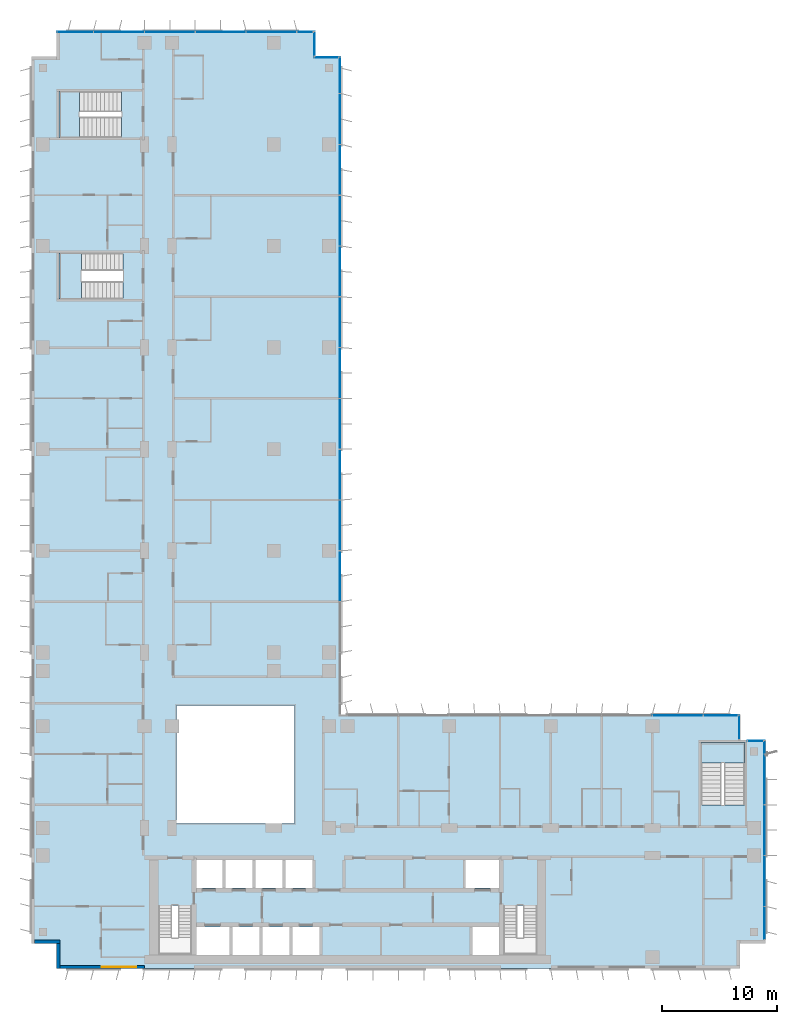
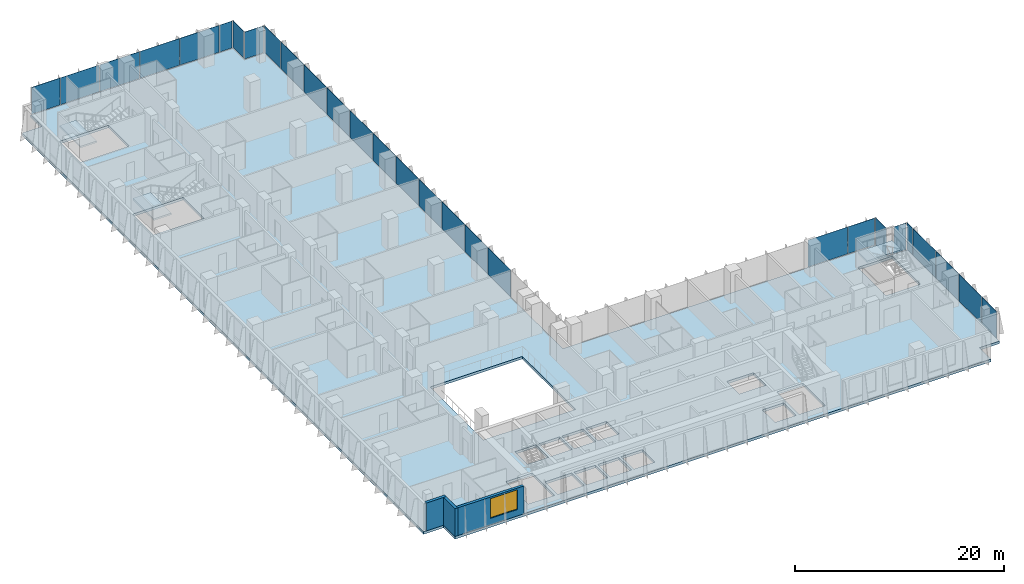
# One storey, part 11 of 22: 28 plates, 4 slabs, 3 walls, 1 window, 1 opening, 11 elements without a shape of their own.
"""IFC4 building model written with IfcOpenShell, lengths in metres."""

from ifc_helpers import new_model, si_unit, direction, frame, frame_2d, origin, origin_2d, place, context, subcontext, project, spatial, polyline, rectangle, outline, extrude, source, transform, mapped, material, layer, layer_set, type_object, element, fill, aggregate, save


model = new_model("IFC4")

# Units and contexts
model_context = context("Model", 3, precision=1e-05, world=origin(), true_north=direction((0.0, 1.0)))
body_context = subcontext(model_context, "Body", "Model", "MODEL_VIEW")
ifc_project = project(units=[si_unit("LENGTHUNIT", "METRE"), si_unit("AREAUNIT", "SQUARE_METRE"), si_unit("VOLUMEUNIT", "CUBIC_METRE"), si_unit("PLANEANGLEUNIT", "RADIAN"), si_unit("MASSUNIT", "GRAM", prefix="KILO")], contexts=[model_context])

# Site, building, storey
site_placement = place(None, origin())
site = spatial("IfcSite", under=ifc_project, at=site_placement, CompositionType="ELEMENT")
building_placement = place(site_placement, origin())
building = spatial("IfcBuilding", under=site, at=building_placement, Name="Kemantara Hotel Tower", CompositionType="ELEMENT")
storey_placement = place(building_placement, frame((0.0, 0.0, 149.39990234375)))
storey = spatial("IfcBuildingStorey", under=building, at=storey_placement, Name="L36", CompositionType="ELEMENT", Elevation=149.39990234375)

# Slab
ifc_material_1 = material(Name="Concrete fc 40 MPa", Category="concrete")
ifc_layer_1 = layer(ifc_material_1, 0.300048828125)
ifc_layer_set_1 = layer_set([ifc_layer_1], Name="Concrete fc 40 MPa")
slab_type_1 = type_object("IfcSlabType", Name="POST-TENSIONED FLAT PLATE 300", PredefinedType="FLOOR", material=ifc_layer_set_1)
slab_1_placement = place(storey_placement, frame((0.0, 0.0, -0.2998046875)))
element("IfcSlab", 1, at=slab_1_placement, inside=storey, type_object=slab_type_1, Name="FLOOR SLAB L36", PredefinedType="FLOOR", context=body_context, shape_type="SweptSolid", body=[
    extrude(outline(polyline([(26.800048828125, 79.0), (24.60009765625, 79.0), (24.60009765625, 81.199951171875), (2.199951171875, 81.199951171875), (2.199951171875, 79.0), (0.0, 79.0), (0.0, 2.199951171875), (2.199951171875, 2.199951171875), (2.199951171875, 0.0), (61.39990234375, 0.0), (61.39990234375, 2.199951171875), (63.60009765625, 2.199951171875), (63.60009765625, 19.800048828125), (61.39990234375, 19.800048828125), (61.39990234375, 22.0), (26.800048828125, 22.0), (26.800048828125, 79.0)]), holes=[polyline([(17.175048828125, 1.199951171875), (14.22509765625, 1.199951171875), (14.22509765625, 3.60009765625), (17.175048828125, 3.60009765625), (17.175048828125, 1.199951171875)]), polyline([(19.77490234375, 1.199951171875), (17.425048828125, 1.199951171875), (17.425048828125, 3.60009765625), (19.77490234375, 3.60009765625), (19.77490234375, 1.199951171875)]), polyline([(11.0, 1.199951171875), (11.0, 5.49951171875), (13.89990234375, 5.49951171875), (13.89990234375, 1.199951171875), (11.0, 1.199951171875)]), polyline([(16.574951171875, 7.0), (14.22509765625, 7.0), (14.22509765625, 9.39990234375), (16.574951171875, 9.39990234375), (16.574951171875, 7.0)]), polyline([(19.175048828125, 7.0), (16.824951171875, 7.0), (16.824951171875, 9.39990234375), (19.175048828125, 9.39990234375), (19.175048828125, 7.0)]), polyline([(22.800048828125, 12.60009765625), (12.60009765625, 12.60009765625), (12.60009765625, 22.800048828125), (22.800048828125, 22.800048828125), (22.800048828125, 12.60009765625)]), polyline([(2.39990234375, 62.0), (7.949462890625, 62.0), (7.949462890625, 58.0), (2.39990234375, 58.0), (2.39990234375, 62.0)]), polyline([(2.39990234375, 76.0), (7.79931640625, 76.0), (7.79931640625, 72.0), (2.39990234375, 72.0), (2.39990234375, 76.0)]), polyline([(22.375, 1.199951171875), (20.02490234375, 1.199951171875), (20.02490234375, 3.60009765625), (22.375, 3.60009765625), (22.375, 1.199951171875)]), polyline([(24.97509765625, 1.199951171875), (22.625, 1.199951171875), (22.625, 3.60009765625), (24.97509765625, 3.60009765625), (24.97509765625, 1.199951171875)]), polyline([(40.574951171875, 1.199951171875), (38.22509765625, 1.199951171875), (38.22509765625, 3.60009765625), (40.574951171875, 3.60009765625), (40.574951171875, 1.199951171875)]), polyline([(40.89990234375, 1.199951171875), (40.89990234375, 5.49951171875), (43.800048828125, 5.49951171875), (43.800048828125, 1.199951171875), (40.89990234375, 1.199951171875)]), polyline([(21.77490234375, 7.0), (19.425048828125, 7.0), (19.425048828125, 9.39990234375), (21.77490234375, 9.39990234375), (21.77490234375, 7.0)]), polyline([(24.375, 7.0), (22.02490234375, 7.0), (22.02490234375, 9.39990234375), (24.375, 9.39990234375), (24.375, 7.0)]), polyline([(40.574951171875, 7.0), (37.625, 7.0), (37.625, 9.39990234375), (40.574951171875, 9.39990234375), (40.574951171875, 7.0)]), polyline([(61.800048828125, 19.60009765625), (61.800048828125, 14.20068359375), (58.0, 14.20068359375), (58.0, 19.60009765625), (61.800048828125, 19.60009765625)])]), origin(), (0.0, 0.0, 1.0), 0.2998046875),
])

# Stair, slab
stair_type_1 = type_object("IfcStairType", Name="Stair 1800 wide 22 risers of 168 x 360 mm", PredefinedType="HALF_TURN_STAIR", material=ifc_material_1)
stair_1_placement = place(storey_placement, origin())
stair_1 = element("IfcStair", 2, at=stair_1_placement, inside=storey, type_object=stair_type_1, Name="L36 Exit stair ST3", PredefinedType="HALF_TURN_STAIR")
ifc_layer_2 = layer(ifc_material_1, 0.199951171875)
ifc_layer_set_2 = layer_set([ifc_layer_2], Name="Concrete fc 40 MPa")
slab_type_2 = type_object("IfcSlabType", Name="Stair landing 200 mm", PredefinedType="LANDING", material=ifc_layer_set_2)
slab_2_placement = place(storey_placement, frame((0.0, 0.0, 1.650146484375)))
slab_2 = element("IfcSlab", 3, at=slab_2_placement, type_object=slab_type_2, Name="ST3 landing 1", PredefinedType="LANDING", context=body_context, shape_type="SweptSolid", body=[
    extrude(outline(polyline([(61.800048828125, 17.800048828125), (61.800048828125, 19.60009765625), (58.0, 19.60009765625), (58.0, 17.800048828125), (61.800048828125, 17.800048828125)])), origin(), (0.0, 0.0, 1.0), 0.199951171875),
])
aggregate(stair_1, [slab_2])

stair_type_2 = type_object("IfcStairType", Name="Stair 1550 wide 22 risers of 168 x 360 mm", PredefinedType="HALF_TURN_STAIR", material=ifc_material_1)
stair_2_placement = place(storey_placement, origin())
stair_2 = element("IfcStair", 4, at=stair_2_placement, inside=storey, type_object=stair_type_2, Name="L36 Exit stair ST4", PredefinedType="HALF_TURN_STAIR")
slab_3_placement = place(storey_placement, frame((0.0, 0.0, 1.650146484375)))
slab_3 = element("IfcSlab", 5, at=slab_3_placement, type_object=slab_type_2, Name="ST4 landing 1", PredefinedType="LANDING", context=body_context, shape_type="SweptSolid", body=[
    extrude(outline(polyline([(4.35009765625, 62.0), (2.39990234375, 62.0), (2.39990234375, 58.0), (4.35009765625, 58.0), (4.35009765625, 62.0)])), origin(), (0.0, 0.0, 1.0), 0.199951171875),
])
aggregate(stair_2, [slab_3])

stair_3_placement = place(storey_placement, origin())
stair_3 = element("IfcStair", 6, at=stair_3_placement, inside=storey, type_object=stair_type_1, Name="L36 Exit stair ST6", PredefinedType="HALF_TURN_STAIR")
slab_4_placement = place(storey_placement, frame((0.0, 0.0, 1.650146484375)))
slab_4 = element("IfcSlab", 7, at=slab_4_placement, type_object=slab_type_2, Name="ST6 landing 1", PredefinedType="LANDING", context=body_context, shape_type="SweptSolid", body=[
    extrude(outline(polyline([(4.199951171875, 76.0), (2.39990234375, 76.0), (2.39990234375, 72.0), (4.199951171875, 72.0), (4.199951171875, 76.0)])), origin(), (0.0, 0.0, 1.0), 0.199951171875),
])
aggregate(stair_3, [slab_4])

# Curtain wall, plate
ifc_material_2 = material(Name="Low-E tinted double insulated glass 36 mm", Category="glass")
curtain_wall_type = type_object("IfcCurtainWallType", Name="TOWER CURTAIN WALL, FRONT FACES", PredefinedType="USERDEFINED", material=ifc_material_2)
curtain_wall_1_placement = place(storey_placement, origin())
curtain_wall_1 = element("IfcCurtainWall", 8, at=curtain_wall_1_placement, inside=storey, type_object=curtain_wall_type, Name="CW4 L36 T2-R10-1", ObjectType="TOWER CURTAIN WALL, FRONT FACES", PredefinedType="USERDEFINED")
ifc_layer_3 = layer(ifc_material_2, 0.035888671875)
ifc_layer_set_3 = layer_set([ifc_layer_3], Name="Low-E tinted double insulated glass 36 mm")
plate_type = type_object("IfcPlateType", Name="TOWER CURTAIN WALL, FRONT FACES PANEL", PredefinedType="CURTAIN_PANEL", material=ifc_layer_set_3)
shared_shape_1 = source(origin(), body_context, "Body", "SweptSolid", [
    extrude(rectangle(XDim=2.81005859375, YDim=0.035888671875, at=origin_2d()), origin(), (0.0, 0.0, 1.0), 3.1298828125),
])
plate_1_placement = place(storey_placement, frame((63.52490234375, 3.965087890625, 0.1201171875), z_axis=(0.0, 0.0, 1.0), x_axis=(0.0, 1.0, 0.0)))
plate_1 = element("IfcPlate", 9, at=plate_1_placement, type_object=plate_type, Name="CW4 glass panel T2-R10-1.1", PredefinedType="CURTAIN_PANEL", context=body_context, shape_type="MappedRepresentation", body=[
    mapped(shared_shape_1, transform((0.0, 0.0, 0.0))),
])

# Curtain wall, plates
curtain_wall_2_placement = place(storey_placement, origin())
curtain_wall_2 = element("IfcCurtainWall", 10, at=curtain_wall_2_placement, inside=storey, type_object=curtain_wall_type, Name="CW4 L36 T2-R01-1", ObjectType="TOWER CURTAIN WALL, FRONT FACES", PredefinedType="USERDEFINED")
shared_shape_2 = source(origin(), body_context, "Body", "SweptSolid", [
    extrude(rectangle(XDim=4.340087890625, YDim=0.035888671875, at=origin_2d()), origin(), (0.0, 0.0, 1.0), 3.1298828125),
])
plate_2_placement = place(storey_placement, frame((20.800048828125, 81.125, 0.1201171875), z_axis=(0.0, 0.0, 1.0), x_axis=(-1.0, 0.0, 0.0)))
plate_2 = element("IfcPlate", 11, at=plate_2_placement, type_object=plate_type, Name="CW4 glass panel T2-R01-1.2", PredefinedType="CURTAIN_PANEL", context=body_context, shape_type="MappedRepresentation", body=[
    mapped(shared_shape_2, transform((0.0, 0.0, 0.0))),
])
plate_3_placement = place(storey_placement, frame((16.39990234375, 81.125, 0.1201171875), z_axis=(0.0, 0.0, 1.0), x_axis=(-1.0, 0.0, 0.0)))
plate_3 = element("IfcPlate", 12, at=plate_3_placement, type_object=plate_type, Name="CW4 glass panel T2-R01-1.3", PredefinedType="CURTAIN_PANEL", context=body_context, shape_type="MappedRepresentation", body=[
    mapped(shared_shape_2, transform((0.0, 0.0, 0.0))),
])
plate_4_placement = place(storey_placement, frame((12.0, 81.125, 0.1201171875), z_axis=(0.0, 0.0, 1.0), x_axis=(-1.0, 0.0, 0.0)))
plate_4 = element("IfcPlate", 13, at=plate_4_placement, type_object=plate_type, Name="CW4 glass panel T2-R01-1.4", PredefinedType="CURTAIN_PANEL", context=body_context, shape_type="MappedRepresentation", body=[
    mapped(shared_shape_2, transform((0.0, 0.0, 0.0))),
])
plate_5_placement = place(storey_placement, frame((7.60009765625, 81.125, 0.1201171875), z_axis=(0.0, 0.0, 1.0), x_axis=(-1.0, 0.0, 0.0)))
plate_5 = element("IfcPlate", 14, at=plate_5_placement, type_object=plate_type, Name="CW4 glass panel T2-R01-1.5", PredefinedType="CURTAIN_PANEL", context=body_context, shape_type="MappedRepresentation", body=[
    mapped(shared_shape_2, transform((0.0, 0.0, 0.0))),
])

# Plate
plate_6_placement = place(storey_placement, frame((63.52490234375, 7.60009765625, 0.1201171875), z_axis=(0.0, 0.0, 1.0), x_axis=(0.0, 1.0, 0.0)))
plate_6 = element("IfcPlate", 15, at=plate_6_placement, type_object=plate_type, Name="CW4 glass panel T2-R10-1.2", PredefinedType="CURTAIN_PANEL", context=body_context, shape_type="MappedRepresentation", body=[
    mapped(shared_shape_2, transform((0.0, 0.0, 0.0))),
])

plate_7_placement = place(storey_placement, frame((63.52490234375, 12.0, 0.1201171875), z_axis=(0.0, 0.0, 1.0), x_axis=(0.0, 1.0, 0.0)))
plate_7 = element("IfcPlate", 16, at=plate_7_placement, type_object=plate_type, Name="CW4 glass panel T2-R10-1.3", PredefinedType="CURTAIN_PANEL", context=body_context, shape_type="MappedRepresentation", body=[
    mapped(shared_shape_2, transform((0.0, 0.0, 0.0))),
])

plate_8_placement = place(storey_placement, frame((63.52490234375, 16.39990234375, 0.1201171875), z_axis=(0.0, 0.0, 1.0), x_axis=(0.0, 1.0, 0.0)))
plate_8 = element("IfcPlate", 17, at=plate_8_placement, type_object=plate_type, Name="CW4 glass panel T2-R10-1.4", PredefinedType="CURTAIN_PANEL", context=body_context, shape_type="MappedRepresentation", body=[
    mapped(shared_shape_2, transform((0.0, 0.0, 0.0))),
])

# Curtain wall, plate
curtain_wall_3_placement = place(storey_placement, origin())
curtain_wall_3 = element("IfcCurtainWall", 18, at=curtain_wall_3_placement, inside=storey, type_object=curtain_wall_type, Name="CW4 L36 T2-R13-1", ObjectType="TOWER CURTAIN WALL, FRONT FACES", PredefinedType="USERDEFINED")
plate_9_placement = place(storey_placement, frame((56.0, 21.925048828125, 0.1201171875), z_axis=(0.0, 0.0, 1.0), x_axis=(-1.0, 0.0, 0.0)))
plate_9 = element("IfcPlate", 19, at=plate_9_placement, type_object=plate_type, Name="CW4 glass panel T2-R13-1.2", PredefinedType="CURTAIN_PANEL", context=body_context, shape_type="MappedRepresentation", body=[
    mapped(shared_shape_2, transform((0.0, 0.0, 0.0))),
])

# Curtain wall, plates
curtain_wall_4_placement = place(storey_placement, origin())
curtain_wall_4 = element("IfcCurtainWall", 20, at=curtain_wall_4_placement, inside=storey, type_object=curtain_wall_type, Name="CW4 L36 T2-R14-1", ObjectType="TOWER CURTAIN WALL, FRONT FACES", PredefinedType="USERDEFINED")
plate_10_placement = place(storey_placement, frame((26.72509765625, 34.0, 0.1201171875), z_axis=(0.0, 0.0, 1.0), x_axis=(0.0, 1.0, 0.0)))
plate_10 = element("IfcPlate", 21, at=plate_10_placement, type_object=plate_type, Name="CW4 glass panel T2-R14-1.4", PredefinedType="CURTAIN_PANEL", context=body_context, shape_type="MappedRepresentation", body=[
    mapped(shared_shape_2, transform((0.0, 0.0, 0.0))),
])
plate_11_placement = place(storey_placement, frame((26.72509765625, 38.39990234375, 0.1201171875), z_axis=(0.0, 0.0, 1.0), x_axis=(0.0, 1.0, 0.0)))
plate_11 = element("IfcPlate", 22, at=plate_11_placement, type_object=plate_type, Name="CW4 glass panel T2-R14-1.5", PredefinedType="CURTAIN_PANEL", context=body_context, shape_type="MappedRepresentation", body=[
    mapped(shared_shape_2, transform((0.0, 0.0, 0.0))),
])
plate_12_placement = place(storey_placement, frame((26.72509765625, 42.800048828125, 0.1201171875), z_axis=(0.0, 0.0, 1.0), x_axis=(0.0, 1.0, 0.0)))
plate_12 = element("IfcPlate", 23, at=plate_12_placement, type_object=plate_type, Name="CW4 glass panel T2-R14-1.6", PredefinedType="CURTAIN_PANEL", context=body_context, shape_type="MappedRepresentation", body=[
    mapped(shared_shape_2, transform((0.0, 0.0, 0.0))),
])
plate_13_placement = place(storey_placement, frame((26.72509765625, 47.199951171875, 0.1201171875), z_axis=(0.0, 0.0, 1.0), x_axis=(0.0, 1.0, 0.0)))
plate_13 = element("IfcPlate", 24, at=plate_13_placement, type_object=plate_type, Name="CW4 glass panel T2-R14-1.7", PredefinedType="CURTAIN_PANEL", context=body_context, shape_type="MappedRepresentation", body=[
    mapped(shared_shape_2, transform((0.0, 0.0, 0.0))),
])
plate_14_placement = place(storey_placement, frame((26.72509765625, 51.60009765625, 0.1201171875), z_axis=(0.0, 0.0, 1.0), x_axis=(0.0, 1.0, 0.0)))
plate_14 = element("IfcPlate", 25, at=plate_14_placement, type_object=plate_type, Name="CW4 glass panel T2-R14-1.8", PredefinedType="CURTAIN_PANEL", context=body_context, shape_type="MappedRepresentation", body=[
    mapped(shared_shape_2, transform((0.0, 0.0, 0.0))),
])
plate_15_placement = place(storey_placement, frame((26.72509765625, 56.0, 0.1201171875), z_axis=(0.0, 0.0, 1.0), x_axis=(0.0, 1.0, 0.0)))
plate_15 = element("IfcPlate", 26, at=plate_15_placement, type_object=plate_type, Name="CW4 glass panel T2-R14-1.9", PredefinedType="CURTAIN_PANEL", context=body_context, shape_type="MappedRepresentation", body=[
    mapped(shared_shape_2, transform((0.0, 0.0, 0.0))),
])
plate_16_placement = place(storey_placement, frame((26.72509765625, 60.39990234375, 0.1201171875), z_axis=(0.0, 0.0, 1.0), x_axis=(0.0, 1.0, 0.0)))
plate_16 = element("IfcPlate", 27, at=plate_16_placement, type_object=plate_type, Name="CW4 glass panel T2-R14-1.10", PredefinedType="CURTAIN_PANEL", context=body_context, shape_type="MappedRepresentation", body=[
    mapped(shared_shape_2, transform((0.0, 0.0, 0.0))),
])
plate_17_placement = place(storey_placement, frame((26.72509765625, 64.800048828125, 0.1201171875), z_axis=(0.0, 0.0, 1.0), x_axis=(0.0, 1.0, 0.0)))
plate_17 = element("IfcPlate", 28, at=plate_17_placement, type_object=plate_type, Name="CW4 glass panel T2-R14-1.11", PredefinedType="CURTAIN_PANEL", context=body_context, shape_type="MappedRepresentation", body=[
    mapped(shared_shape_2, transform((0.0, 0.0, 0.0))),
])
plate_18_placement = place(storey_placement, frame((26.72509765625, 69.199951171875, 0.1201171875), z_axis=(0.0, 0.0, 1.0), x_axis=(0.0, 1.0, 0.0)))
plate_18 = element("IfcPlate", 29, at=plate_18_placement, type_object=plate_type, Name="CW4 glass panel T2-R14-1.12", PredefinedType="CURTAIN_PANEL", context=body_context, shape_type="MappedRepresentation", body=[
    mapped(shared_shape_2, transform((0.0, 0.0, 0.0))),
])
plate_19_placement = place(storey_placement, frame((26.72509765625, 73.60009765625, 0.1201171875), z_axis=(0.0, 0.0, 1.0), x_axis=(0.0, 1.0, 0.0)))
plate_19 = element("IfcPlate", 30, at=plate_19_placement, type_object=plate_type, Name="CW4 glass panel T2-R14-1.13", PredefinedType="CURTAIN_PANEL", context=body_context, shape_type="MappedRepresentation", body=[
    mapped(shared_shape_2, transform((0.0, 0.0, 0.0))),
])

# Plate
shared_shape_3 = source(origin(), body_context, "Body", "SweptSolid", [
    extrude(rectangle(XDim=2.9599609375, YDim=0.035888671875, at=origin_2d()), origin(), (0.0, 0.0, 1.0), 3.1298828125),
])
plate_20_placement = place(storey_placement, frame((59.7099609375, 21.925048828125, 0.1201171875), z_axis=(0.0, 0.0, 1.0), x_axis=(-1.0, 0.0, 0.0)))
plate_20 = element("IfcPlate", 31, at=plate_20_placement, type_object=plate_type, Name="CW4 glass panel T2-R13-1.1", PredefinedType="CURTAIN_PANEL", context=body_context, shape_type="MappedRepresentation", body=[
    mapped(shared_shape_3, transform((0.0, 0.0, 0.0))),
])

aggregate(curtain_wall_3, [plate_20, plate_9])

shared_shape_4 = source(origin(), body_context, "Body", "SweptSolid", [
    extrude(rectangle(XDim=3.110107421875, YDim=0.035888671875, at=origin_2d()), origin(), (0.0, 0.0, 1.0), 3.1298828125),
])
plate_21_placement = place(storey_placement, frame((3.81494140625, 81.125, 0.1201171875), z_axis=(0.0, 0.0, 1.0), x_axis=(-1.0, 0.0, 0.0)))
plate_21 = element("IfcPlate", 32, at=plate_21_placement, type_object=plate_type, Name="CW4 glass panel T2-R01-1.6", PredefinedType="CURTAIN_PANEL", context=body_context, shape_type="MappedRepresentation", body=[
    mapped(shared_shape_4, transform((0.0, 0.0, 0.0))),
])

plate_22_placement = place(storey_placement, frame((26.72509765625, 77.385009765625, 0.1201171875), z_axis=(0.0, 0.0, 1.0), x_axis=(0.0, 1.0, 0.0)))
plate_22 = element("IfcPlate", 33, at=plate_22_placement, type_object=plate_type, Name="CW4 glass panel T2-R14-1.14", PredefinedType="CURTAIN_PANEL", context=body_context, shape_type="MappedRepresentation", body=[
    mapped(shared_shape_4, transform((0.0, 0.0, 0.0))),
])

aggregate(curtain_wall_4, [plate_10, plate_11, plate_12, plate_13, plate_14, plate_15, plate_16, plate_17, plate_18, plate_19, plate_22])

shared_shape_5 = source(origin(), body_context, "Body", "SweptSolid", [
    extrude(rectangle(XDim=1.360107421875, YDim=0.035888671875, at=origin_2d()), origin(), (0.0, 0.0, 1.0), 3.1298828125),
])
plate_23_placement = place(storey_placement, frame((23.7099609375, 81.125, 0.1201171875), z_axis=(0.0, 0.0, 1.0), x_axis=(-1.0, 0.0, 0.0)))
plate_23 = element("IfcPlate", 34, at=plate_23_placement, type_object=plate_type, Name="CW4 glass panel T2-R01-1.1", PredefinedType="CURTAIN_PANEL", context=body_context, shape_type="MappedRepresentation", body=[
    mapped(shared_shape_5, transform((0.0, 0.0, 0.0))),
])

aggregate(curtain_wall_2, [plate_23, plate_2, plate_3, plate_4, plate_5, plate_21])

# Curtain wall, plate
curtain_wall_5_placement = place(storey_placement, origin())
curtain_wall_5 = element("IfcCurtainWall", 35, at=curtain_wall_5_placement, inside=storey, type_object=curtain_wall_type, Name="CW4 L36 T2-R00-1", ObjectType="TOWER CURTAIN WALL, FRONT FACES", PredefinedType="USERDEFINED")
shared_shape_6 = source(origin(), body_context, "Body", "SweptSolid", [
    extrude(rectangle(XDim=2.080078125, YDim=0.035888671875, at=origin_2d()), origin(), (0.0, 0.0, 1.0), 3.1298828125),
])
plate_24_placement = place(storey_placement, frame((24.52490234375, 80.10009765625, 0.1201171875), z_axis=(0.0, 0.0, 1.0), x_axis=(0.0, 1.0, 0.0)))
plate_24 = element("IfcPlate", 36, at=plate_24_placement, type_object=plate_type, Name="CW4 glass panel T2-R00-1.1", PredefinedType="CURTAIN_PANEL", context=body_context, shape_type="MappedRepresentation", body=[
    mapped(shared_shape_6, transform((0.0, 0.0, 0.0))),
])
aggregate(curtain_wall_5, [plate_24])

curtain_wall_6_placement = place(storey_placement, origin())
curtain_wall_6 = element("IfcCurtainWall", 37, at=curtain_wall_6_placement, inside=storey, type_object=curtain_wall_type, Name="CW4 L36 T2-R12-1", ObjectType="TOWER CURTAIN WALL, FRONT FACES", PredefinedType="USERDEFINED")
plate_25_placement = place(storey_placement, frame((61.324951171875, 20.89990234375, 0.1201171875), z_axis=(0.0, 0.0, 1.0), x_axis=(0.0, 1.0, 0.0)))
plate_25 = element("IfcPlate", 38, at=plate_25_placement, type_object=plate_type, Name="CW4 glass panel T2-R12-1.1", PredefinedType="CURTAIN_PANEL", context=body_context, shape_type="MappedRepresentation", body=[
    mapped(shared_shape_6, transform((0.0, 0.0, 0.0))),
])
aggregate(curtain_wall_6, [plate_25])

curtain_wall_7_placement = place(storey_placement, origin())
curtain_wall_7 = element("IfcCurtainWall", 39, at=curtain_wall_7_placement, inside=storey, type_object=curtain_wall_type, Name="CW4 L36 T2-R15-1", ObjectType="TOWER CURTAIN WALL, FRONT FACES", PredefinedType="USERDEFINED")
plate_26_placement = place(storey_placement, frame((25.550048828125, 78.925048828125, 0.1201171875), z_axis=(0.0, 0.0, 1.0), x_axis=(-1.0, 0.0, 0.0)))
plate_26 = element("IfcPlate", 40, at=plate_26_placement, type_object=plate_type, Name="CW4 glass panel T2-R15-1.1", PredefinedType="CURTAIN_PANEL", context=body_context, shape_type="MappedRepresentation", body=[
    mapped(shared_shape_6, transform((0.0, 0.0, 0.0))),
])
aggregate(curtain_wall_7, [plate_26])

# Plate
shared_shape_7 = source(origin(), body_context, "Body", "SweptSolid", [
    extrude(rectangle(XDim=1.110107421875, YDim=0.035888671875, at=origin_2d()), origin(), (0.0, 0.0, 1.0), 3.1298828125),
])
plate_27_placement = place(storey_placement, frame((63.52490234375, 19.18505859375, 0.1201171875), z_axis=(0.0, 0.0, 1.0), x_axis=(0.0, 1.0, 0.0)))
plate_27 = element("IfcPlate", 41, at=plate_27_placement, type_object=plate_type, Name="CW4 glass panel T2-R10-1.5", PredefinedType="CURTAIN_PANEL", context=body_context, shape_type="MappedRepresentation", body=[
    mapped(shared_shape_7, transform((0.0, 0.0, 0.0))),
])

aggregate(curtain_wall_1, [plate_1, plate_6, plate_7, plate_8, plate_27])

# Curtain wall, plate
curtain_wall_8_placement = place(storey_placement, origin())
curtain_wall_8 = element("IfcCurtainWall", 42, at=curtain_wall_8_placement, inside=storey, type_object=curtain_wall_type, Name="CW4 L36 T2-R11-1", ObjectType="TOWER CURTAIN WALL, FRONT FACES", PredefinedType="USERDEFINED")
shared_shape_8 = source(origin(), body_context, "Body", "SweptSolid", [
    extrude(rectangle(XDim=1.330078125, YDim=0.035888671875, at=origin_2d()), origin(), (0.0, 0.0, 1.0), 3.1298828125),
])
plate_28_placement = place(storey_placement, frame((62.72509765625, 19.72509765625, 0.1201171875), z_axis=(0.0, 0.0, 1.0), x_axis=(-1.0, 0.0, 0.0)))
plate_28 = element("IfcPlate", 43, at=plate_28_placement, type_object=plate_type, Name="CW4 glass panel T2-R11-1.1", PredefinedType="CURTAIN_PANEL", context=body_context, shape_type="MappedRepresentation", body=[
    mapped(shared_shape_8, transform((0.0, 0.0, 0.0))),
])
aggregate(curtain_wall_8, [plate_28])

# Walls
ifc_material_3 = material(Name="Bronze anodised aluminium cladding on insulated steel stud wall", Category="steel")
ifc_layer_4 = layer(ifc_material_3, 0.300048828125)
ifc_layer_set_4 = layer_set([ifc_layer_4], Name="Bronze anodised aluminium cladding on insulated steel stud wall")
wall_type = type_object("IfcWallType", Name="BRONZE METAL-CLAD EXTERNAL WALL 300", PredefinedType="STANDARD", material=ifc_layer_set_4)
for number, where, z_axis, x_axis, name in (
    (44, (0.300048828125, 2.35009765625, 0.0), (0.0, 0.0, 1.0), (1.0, 0.0, 0.0), "EXTERNAL WALL L36 T2-R05"),
    (45, (2.35009765625, 2.199951171875, 0.0), (0.0, 0.0, 1.0), (0.0, -1.0, 0.0), "EXTERNAL WALL L36 T2-R06"),
):
    element("IfcWall", number, at=place(storey_placement, frame(where, z_axis=z_axis, x_axis=x_axis)), inside=storey, type_object=wall_type, Name=name, PredefinedType="STANDARD", context=body_context, shape_type="SweptSolid", body=[
        extrude(rectangle(XDim=2.199951171875, YDim=0.300048828125, at=frame_2d((1.10009765625, 0.0))), origin(), (0.0, 0.0, 1.0), 3.25),
    ])

# Wall, opening, window
wall_placement = place(storey_placement, frame((2.5, 0.14990234375, 0.0), z_axis=(0.0, 0.0, 1.0), x_axis=(1.0, 0.0, 0.0)))
wall = element("IfcWall", 46, at=wall_placement, inside=storey, type_object=wall_type, Name="EXTERNAL WALL L36 T2-R07", PredefinedType="STANDARD", context=body_context, shape_type="SweptSolid", body=[
    extrude(rectangle(XDim=7.300048828125, YDim=0.300048828125, at=frame_2d((3.64990234375, 0.0))), origin(), (0.0, 0.0, 1.0), 3.25),
])
opening_placement = place(wall_placement, frame((3.60009765625, 0.0, 0.75)))
opening = element("IfcOpeningElement", 47, at=opening_placement, cuts=wall, Name="Opening W1", PredefinedType="OPENING", context=body_context, shape_type="SweptSolid", body=[
    extrude(rectangle(XDim=3.0, YDim=2.300048828125, at=frame_2d((1.5, 1.14990234375))), frame((0.0, 0.159912109375, 0.0), z_axis=(0.0, -1.0, 0.0), x_axis=(1.0, 0.0, 0.0)), (0.0, 0.0, 1.0), 0.320068359375),
])
ifc_material_4 = material(Name="Low-E tinted double insulated glass in bronze anodised aluminium frame", Category="aluminium")
window_type = type_object("IfcWindowType", Name="CHICAGO WINDOW, TRIPLE PANEL 3000x2300", PartitioningType="TRIPLE_PANEL_VERTICAL", PredefinedType="WINDOW", material=ifc_material_4)
window_placement = place(opening_placement, origin())
window = element("IfcWindow", 48, at=window_placement, inside=storey, type_object=window_type, Name="CHICAGO WINDOW L36 T2-R07-54", OverallHeight=2.300048828125, OverallWidth=3.0, PartitioningType="SINGLE_PANEL", PredefinedType="WINDOW", context=body_context, shape_type="SweptSolid", body=[
    extrude(rectangle(XDim=3.0, YDim=2.300048828125, at=frame_2d((1.5, 1.14990234375))), frame((0.0, 0.030029296875, 0.0), z_axis=(0.0, -1.0, 0.0), x_axis=(1.0, 0.0, 0.0)), (0.0, 0.0, 1.0), 0.06005859375),
])
fill(opening, window)

save(model, "model.ifc")
